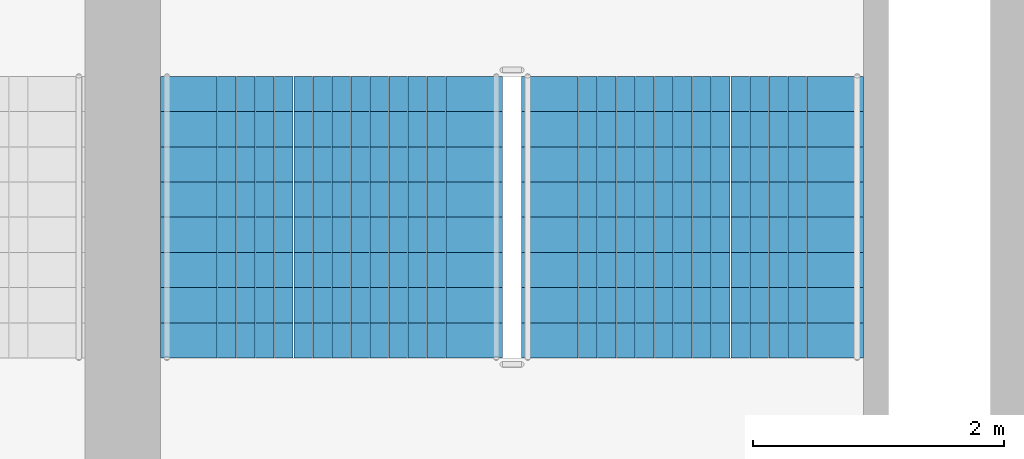
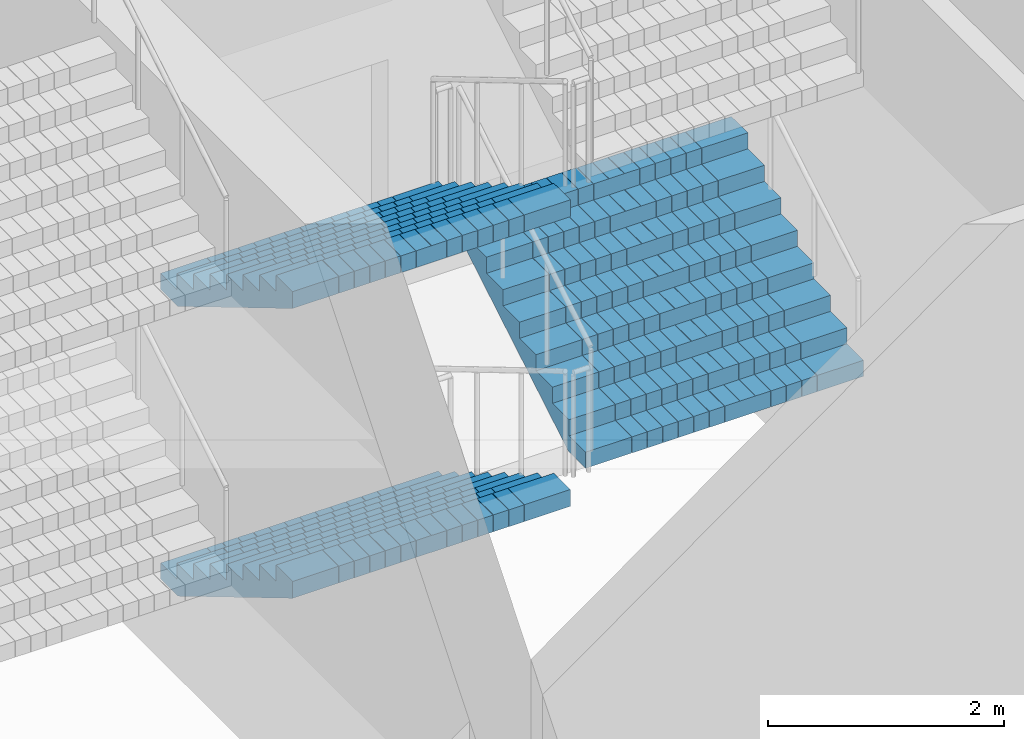
# One storey, part 25 of 41: 3 stair flights, 1 element without a shape of its own.
"""IFC4 building model written with IfcOpenShell, lengths in metres."""

from ifc_helpers import new_model, si_unit, direction, frame, origin, place, context, subcontext, project, spatial, polyline, outline, extrude, material, type_object, element, aggregate, save


model = new_model("IFC4")

# Units and contexts
model_context = context("Model", 3, precision=1e-05, world=origin(), true_north=direction((0.0, 1.0)))
body_context = subcontext(model_context, "Body", "Model", "MODEL_VIEW")
ifc_project = project(units=[si_unit("LENGTHUNIT", "METRE"), si_unit("AREAUNIT", "SQUARE_METRE"), si_unit("VOLUMEUNIT", "CUBIC_METRE"), si_unit("PLANEANGLEUNIT", "RADIAN"), si_unit("MASSUNIT", "GRAM", prefix="KILO")], contexts=[model_context])

# Site, building, storey
site_placement = place(None, origin())
site = spatial("IfcSite", under=ifc_project, at=site_placement, CompositionType="ELEMENT")
building_placement = place(site_placement, origin())
building = spatial("IfcBuilding", under=site, at=building_placement, Name="Corbelhall Arena Tower", CompositionType="ELEMENT")
storey_placement = place(building_placement, frame((0.0, 0.0, 19.0)))
storey = spatial("IfcBuildingStorey", under=building, at=storey_placement, Name="L02", CompositionType="ELEMENT", Elevation=19.0)

# Stair, stair flights
ifc_material = material(Name="Reinforced concrete C40/50", Category="concrete")
stair_type = type_object("IfcStairType", Name="AR-EXIT-STAIR", PredefinedType="HALF_TURN_STAIR", material=ifc_material)
stair_placement = place(storey_placement, origin())
stair = element("IfcStair", 1, at=stair_placement, inside=storey, type_object=stair_type, Name="L02 exit stair AS6", PredefinedType="HALF_TURN_STAIR")
stair_flight_type = type_object("IfcStairFlightType", Name="AR-EXIT-FLIGHT", PredefinedType="STRAIGHT", material=ifc_material)
stair_flight_1_placement = place(storey_placement, frame((42.159912109375, -27.320068359375, 0.0), z_axis=(0.0, 0.0, 1.0), x_axis=(0.0, -1.0, 0.0)))
stair_flight_1 = element("IfcStairFlight", 2, at=stair_flight_1_placement, type_object=stair_flight_type, Name="AS6 flight 1", NumberOfRisers=9, NumberOfTreads=8, PredefinedType="STRAIGHT", RiserHeight=0.166666667, TreadLength=0.28, context=body_context, shape_type="SweptSolid", body=[
    extrude(outline(polyline([(0.0, 0.0), (0.0, 0.166748046875), (0.280029296875, 0.166748046875), (0.280029296875, 0.333251953125), (0.56005859375, 0.333251953125), (0.56005859375, 0.5), (0.840087890625, 0.5), (0.840087890625, 0.666748046875), (1.1201171875, 0.666748046875), (1.1201171875, 0.833251953125), (1.39990234375, 0.833251953125), (1.39990234375, 1.0), (1.679931640625, 1.0), (1.679931640625, 1.166748046875), (1.9599609375, 1.166748046875), (1.9599609375, 1.333251953125), (2.239990234375, 1.333251953125), (2.239990234375, 1.5), (2.239990234375, 1.158935546875), (0.29296875, 0.0), (0.0, 0.0)])), frame((0.0, 1.35986328125, 0.0), z_axis=(0.0, -1.0, 0.0), x_axis=(1.0, 0.0, 0.0)), (0.0, 0.0, 1.0), 0.449951171875),
    extrude(outline(polyline([(0.0, 0.0), (0.0, 0.166748046875), (0.280029296875, 0.166748046875), (0.280029296875, 0.333251953125), (0.56005859375, 0.333251953125), (0.56005859375, 0.5), (0.840087890625, 0.5), (0.840087890625, 0.666748046875), (1.1201171875, 0.666748046875), (1.1201171875, 0.833251953125), (1.39990234375, 0.833251953125), (1.39990234375, 1.0), (1.679931640625, 1.0), (1.679931640625, 1.166748046875), (1.9599609375, 1.166748046875), (1.9599609375, 1.333251953125), (2.239990234375, 1.333251953125), (2.239990234375, 1.5), (2.239990234375, 1.158935546875), (0.29296875, 0.0), (0.0, 0.0)])), frame((0.0, 0.906005859375, 0.0), z_axis=(0.0, -1.0, 0.0), x_axis=(1.0, 0.0, 0.0)), (0.0, 0.0, 1.0), 0.147216796875),
    extrude(outline(polyline([(0.0, 0.0), (0.0, 0.166748046875), (0.280029296875, 0.166748046875), (0.280029296875, 0.333251953125), (0.56005859375, 0.333251953125), (0.56005859375, 0.5), (0.840087890625, 0.5), (0.840087890625, 0.666748046875), (1.1201171875, 0.666748046875), (1.1201171875, 0.833251953125), (1.39990234375, 0.833251953125), (1.39990234375, 1.0), (1.679931640625, 1.0), (1.679931640625, 1.166748046875), (1.9599609375, 1.166748046875), (1.9599609375, 1.333251953125), (2.239990234375, 1.333251953125), (2.239990234375, 1.5), (2.239990234375, 1.158935546875), (0.29296875, 0.0), (0.0, 0.0)])), frame((0.0, 0.754638671875, 0.0), z_axis=(0.0, -1.0, 0.0), x_axis=(1.0, 0.0, 0.0)), (0.0, 0.0, 1.0), 0.147216796875),
    extrude(outline(polyline([(0.0, 0.0), (0.0, 0.166748046875), (0.280029296875, 0.166748046875), (0.280029296875, 0.333251953125), (0.56005859375, 0.333251953125), (0.56005859375, 0.5), (0.840087890625, 0.5), (0.840087890625, 0.666748046875), (1.1201171875, 0.666748046875), (1.1201171875, 0.833251953125), (1.39990234375, 0.833251953125), (1.39990234375, 1.0), (1.679931640625, 1.0), (1.679931640625, 1.166748046875), (1.9599609375, 1.166748046875), (1.9599609375, 1.333251953125), (2.239990234375, 1.333251953125), (2.239990234375, 1.5), (2.239990234375, 1.158935546875), (0.29296875, 0.0), (0.0, 0.0)])), frame((0.0, 0.603271484375, 0.0), z_axis=(0.0, -1.0, 0.0), x_axis=(1.0, 0.0, 0.0)), (0.0, 0.0, 1.0), 0.147216796875),
    extrude(outline(polyline([(0.0, 0.0), (0.0, 0.166748046875), (0.280029296875, 0.166748046875), (0.280029296875, 0.333251953125), (0.56005859375, 0.333251953125), (0.56005859375, 0.5), (0.840087890625, 0.5), (0.840087890625, 0.666748046875), (1.1201171875, 0.666748046875), (1.1201171875, 0.833251953125), (1.39990234375, 0.833251953125), (1.39990234375, 1.0), (1.679931640625, 1.0), (1.679931640625, 1.166748046875), (1.9599609375, 1.166748046875), (1.9599609375, 1.333251953125), (2.239990234375, 1.333251953125), (2.239990234375, 1.5), (2.239990234375, 1.158935546875), (0.29296875, 0.0), (0.0, 0.0)])), frame((0.0, 0.451904296875, 0.0), z_axis=(0.0, -1.0, 0.0), x_axis=(1.0, 0.0, 0.0)), (0.0, 0.0, 1.0), 0.147216796875),
    extrude(outline(polyline([(0.0, 0.0), (0.0, 0.166748046875), (0.280029296875, 0.166748046875), (0.280029296875, 0.333251953125), (0.56005859375, 0.333251953125), (0.56005859375, 0.5), (0.840087890625, 0.5), (0.840087890625, 0.666748046875), (1.1201171875, 0.666748046875), (1.1201171875, 0.833251953125), (1.39990234375, 0.833251953125), (1.39990234375, 1.0), (1.679931640625, 1.0), (1.679931640625, 1.166748046875), (1.9599609375, 1.166748046875), (1.9599609375, 1.333251953125), (2.239990234375, 1.333251953125), (2.239990234375, 1.5), (2.239990234375, 1.158935546875), (0.29296875, 0.0), (0.0, 0.0)])), frame((0.0, 0.30078125, 0.0), z_axis=(0.0, -1.0, 0.0), x_axis=(1.0, 0.0, 0.0)), (0.0, 0.0, 1.0), 0.147216796875),
    extrude(outline(polyline([(0.0, 0.0), (0.0, 0.166748046875), (0.280029296875, 0.166748046875), (0.280029296875, 0.333251953125), (0.56005859375, 0.333251953125), (0.56005859375, 0.5), (0.840087890625, 0.5), (0.840087890625, 0.666748046875), (1.1201171875, 0.666748046875), (1.1201171875, 0.833251953125), (1.39990234375, 0.833251953125), (1.39990234375, 1.0), (1.679931640625, 1.0), (1.679931640625, 1.166748046875), (1.9599609375, 1.166748046875), (1.9599609375, 1.333251953125), (2.239990234375, 1.333251953125), (2.239990234375, 1.5), (2.239990234375, 1.158935546875), (0.29296875, 0.0), (0.0, 0.0)])), frame((0.0, 0.1494140625, 0.0), z_axis=(0.0, -1.0, 0.0), x_axis=(1.0, 0.0, 0.0)), (0.0, 0.0, 1.0), 0.147216796875),
    extrude(outline(polyline([(0.0, 0.0), (0.0, 0.166748046875), (0.280029296875, 0.166748046875), (0.280029296875, 0.333251953125), (0.56005859375, 0.333251953125), (0.56005859375, 0.5), (0.840087890625, 0.5), (0.840087890625, 0.666748046875), (1.1201171875, 0.666748046875), (1.1201171875, 0.833251953125), (1.39990234375, 0.833251953125), (1.39990234375, 1.0), (1.679931640625, 1.0), (1.679931640625, 1.166748046875), (1.9599609375, 1.166748046875), (1.9599609375, 1.333251953125), (2.239990234375, 1.333251953125), (2.239990234375, 1.5), (2.239990234375, 1.158935546875), (0.29296875, 0.0), (0.0, 0.0)])), frame((0.0, -0.001953125, 0.0), z_axis=(0.0, -1.0, 0.0), x_axis=(1.0, 0.0, 0.0)), (0.0, 0.0, 1.0), 0.147216796875),
    extrude(outline(polyline([(0.0, 0.0), (0.0, 0.166748046875), (0.280029296875, 0.166748046875), (0.280029296875, 0.333251953125), (0.56005859375, 0.333251953125), (0.56005859375, 0.5), (0.840087890625, 0.5), (0.840087890625, 0.666748046875), (1.1201171875, 0.666748046875), (1.1201171875, 0.833251953125), (1.39990234375, 0.833251953125), (1.39990234375, 1.0), (1.679931640625, 1.0), (1.679931640625, 1.166748046875), (1.9599609375, 1.166748046875), (1.9599609375, 1.333251953125), (2.239990234375, 1.333251953125), (2.239990234375, 1.5), (2.239990234375, 1.158935546875), (0.29296875, 0.0), (0.0, 0.0)])), frame((0.0, -0.1533203125, 0.0), z_axis=(0.0, -1.0, 0.0), x_axis=(1.0, 0.0, 0.0)), (0.0, 0.0, 1.0), 0.147216796875),
    extrude(outline(polyline([(0.0, 0.0), (0.0, 0.166748046875), (0.280029296875, 0.166748046875), (0.280029296875, 0.333251953125), (0.56005859375, 0.333251953125), (0.56005859375, 0.5), (0.840087890625, 0.5), (0.840087890625, 0.666748046875), (1.1201171875, 0.666748046875), (1.1201171875, 0.833251953125), (1.39990234375, 0.833251953125), (1.39990234375, 1.0), (1.679931640625, 1.0), (1.679931640625, 1.166748046875), (1.9599609375, 1.166748046875), (1.9599609375, 1.333251953125), (2.239990234375, 1.333251953125), (2.239990234375, 1.5), (2.239990234375, 1.158935546875), (0.29296875, 0.0), (0.0, 0.0)])), frame((0.0, -0.3046875, 0.0), z_axis=(0.0, -1.0, 0.0), x_axis=(1.0, 0.0, 0.0)), (0.0, 0.0, 1.0), 0.147216796875),
    extrude(outline(polyline([(0.0, 0.0), (0.0, 0.166748046875), (0.280029296875, 0.166748046875), (0.280029296875, 0.333251953125), (0.56005859375, 0.333251953125), (0.56005859375, 0.5), (0.840087890625, 0.5), (0.840087890625, 0.666748046875), (1.1201171875, 0.666748046875), (1.1201171875, 0.833251953125), (1.39990234375, 0.833251953125), (1.39990234375, 1.0), (1.679931640625, 1.0), (1.679931640625, 1.166748046875), (1.9599609375, 1.166748046875), (1.9599609375, 1.333251953125), (2.239990234375, 1.333251953125), (2.239990234375, 1.5), (2.239990234375, 1.158935546875), (0.29296875, 0.0), (0.0, 0.0)])), frame((0.0, -0.4560546875, 0.0), z_axis=(0.0, -1.0, 0.0), x_axis=(1.0, 0.0, 0.0)), (0.0, 0.0, 1.0), 0.147216796875),
    extrude(outline(polyline([(0.0, 0.0), (0.0, 0.166748046875), (0.280029296875, 0.166748046875), (0.280029296875, 0.333251953125), (0.56005859375, 0.333251953125), (0.56005859375, 0.5), (0.840087890625, 0.5), (0.840087890625, 0.666748046875), (1.1201171875, 0.666748046875), (1.1201171875, 0.833251953125), (1.39990234375, 0.833251953125), (1.39990234375, 1.0), (1.679931640625, 1.0), (1.679931640625, 1.166748046875), (1.9599609375, 1.166748046875), (1.9599609375, 1.333251953125), (2.239990234375, 1.333251953125), (2.239990234375, 1.5), (2.239990234375, 1.158935546875), (0.29296875, 0.0), (0.0, 0.0)])), frame((0.0, -0.607421875, 0.0), z_axis=(0.0, -1.0, 0.0), x_axis=(1.0, 0.0, 0.0)), (0.0, 0.0, 1.0), 0.147216796875),
    extrude(outline(polyline([(0.0, 0.0), (0.0, 0.166748046875), (0.280029296875, 0.166748046875), (0.280029296875, 0.333251953125), (0.56005859375, 0.333251953125), (0.56005859375, 0.5), (0.840087890625, 0.5), (0.840087890625, 0.666748046875), (1.1201171875, 0.666748046875), (1.1201171875, 0.833251953125), (1.39990234375, 0.833251953125), (1.39990234375, 1.0), (1.679931640625, 1.0), (1.679931640625, 1.166748046875), (1.9599609375, 1.166748046875), (1.9599609375, 1.333251953125), (2.239990234375, 1.333251953125), (2.239990234375, 1.5), (2.239990234375, 1.158935546875), (0.29296875, 0.0), (0.0, 0.0)])), frame((0.0, -0.758544921875, 0.0), z_axis=(0.0, -1.0, 0.0), x_axis=(1.0, 0.0, 0.0)), (0.0, 0.0, 1.0), 0.147216796875),
    extrude(outline(polyline([(0.0, 0.0), (0.0, 0.166748046875), (0.280029296875, 0.166748046875), (0.280029296875, 0.333251953125), (0.56005859375, 0.333251953125), (0.56005859375, 0.5), (0.840087890625, 0.5), (0.840087890625, 0.666748046875), (1.1201171875, 0.666748046875), (1.1201171875, 0.833251953125), (1.39990234375, 0.833251953125), (1.39990234375, 1.0), (1.679931640625, 1.0), (1.679931640625, 1.166748046875), (1.9599609375, 1.166748046875), (1.9599609375, 1.333251953125), (2.239990234375, 1.333251953125), (2.239990234375, 1.5), (2.239990234375, 1.158935546875), (0.29296875, 0.0), (0.0, 0.0)])), frame((0.0, -0.909912109375, 0.0), z_axis=(0.0, -1.0, 0.0), x_axis=(1.0, 0.0, 0.0)), (0.0, 0.0, 1.0), 0.449951171875),
])
stair_flight_2_placement = place(storey_placement, frame((45.030029296875, -29.56005859375, 1.5), z_axis=(0.0, 0.0, 1.0), x_axis=(0.0, 1.0, 0.0)))
stair_flight_2 = element("IfcStairFlight", 3, at=stair_flight_2_placement, type_object=stair_flight_type, Name="AS6 flight 2", NumberOfRisers=9, NumberOfTreads=8, PredefinedType="STRAIGHT", RiserHeight=0.166666667, TreadLength=0.28, context=body_context, shape_type="SweptSolid", body=[
    extrude(outline(polyline([(0.0, 0.0), (0.0, 0.166748046875), (0.280029296875, 0.166748046875), (0.280029296875, 0.333251953125), (0.56005859375, 0.333251953125), (0.56005859375, 0.5), (0.840087890625, 0.5), (0.840087890625, 0.666748046875), (1.1201171875, 0.666748046875), (1.1201171875, 0.833251953125), (1.39990234375, 0.833251953125), (1.39990234375, 1.0), (1.679931640625, 1.0), (1.679931640625, 1.166748046875), (1.9599609375, 1.166748046875), (1.9599609375, 1.333251953125), (2.239990234375, 1.333251953125), (2.239990234375, 1.5), (2.239990234375, 1.158935546875), (0.29296875, 0.0), (0.0, 0.0)])), frame((0.0, 1.35986328125, 0.0), z_axis=(0.0, -1.0, 0.0), x_axis=(1.0, 0.0, 0.0)), (0.0, 0.0, 1.0), 0.449951171875),
    extrude(outline(polyline([(0.0, 0.0), (0.0, 0.166748046875), (0.280029296875, 0.166748046875), (0.280029296875, 0.333251953125), (0.56005859375, 0.333251953125), (0.56005859375, 0.5), (0.840087890625, 0.5), (0.840087890625, 0.666748046875), (1.1201171875, 0.666748046875), (1.1201171875, 0.833251953125), (1.39990234375, 0.833251953125), (1.39990234375, 1.0), (1.679931640625, 1.0), (1.679931640625, 1.166748046875), (1.9599609375, 1.166748046875), (1.9599609375, 1.333251953125), (2.239990234375, 1.333251953125), (2.239990234375, 1.5), (2.239990234375, 1.158935546875), (0.29296875, 0.0), (0.0, 0.0)])), frame((0.0, 0.906005859375, 0.0), z_axis=(0.0, -1.0, 0.0), x_axis=(1.0, 0.0, 0.0)), (0.0, 0.0, 1.0), 0.147216796875),
    extrude(outline(polyline([(0.0, 0.0), (0.0, 0.166748046875), (0.280029296875, 0.166748046875), (0.280029296875, 0.333251953125), (0.56005859375, 0.333251953125), (0.56005859375, 0.5), (0.840087890625, 0.5), (0.840087890625, 0.666748046875), (1.1201171875, 0.666748046875), (1.1201171875, 0.833251953125), (1.39990234375, 0.833251953125), (1.39990234375, 1.0), (1.679931640625, 1.0), (1.679931640625, 1.166748046875), (1.9599609375, 1.166748046875), (1.9599609375, 1.333251953125), (2.239990234375, 1.333251953125), (2.239990234375, 1.5), (2.239990234375, 1.158935546875), (0.29296875, 0.0), (0.0, 0.0)])), frame((0.0, 0.754638671875, 0.0), z_axis=(0.0, -1.0, 0.0), x_axis=(1.0, 0.0, 0.0)), (0.0, 0.0, 1.0), 0.147216796875),
    extrude(outline(polyline([(0.0, 0.0), (0.0, 0.166748046875), (0.280029296875, 0.166748046875), (0.280029296875, 0.333251953125), (0.56005859375, 0.333251953125), (0.56005859375, 0.5), (0.840087890625, 0.5), (0.840087890625, 0.666748046875), (1.1201171875, 0.666748046875), (1.1201171875, 0.833251953125), (1.39990234375, 0.833251953125), (1.39990234375, 1.0), (1.679931640625, 1.0), (1.679931640625, 1.166748046875), (1.9599609375, 1.166748046875), (1.9599609375, 1.333251953125), (2.239990234375, 1.333251953125), (2.239990234375, 1.5), (2.239990234375, 1.158935546875), (0.29296875, 0.0), (0.0, 0.0)])), frame((0.0, 0.603271484375, 0.0), z_axis=(0.0, -1.0, 0.0), x_axis=(1.0, 0.0, 0.0)), (0.0, 0.0, 1.0), 0.147216796875),
    extrude(outline(polyline([(0.0, 0.0), (0.0, 0.166748046875), (0.280029296875, 0.166748046875), (0.280029296875, 0.333251953125), (0.56005859375, 0.333251953125), (0.56005859375, 0.5), (0.840087890625, 0.5), (0.840087890625, 0.666748046875), (1.1201171875, 0.666748046875), (1.1201171875, 0.833251953125), (1.39990234375, 0.833251953125), (1.39990234375, 1.0), (1.679931640625, 1.0), (1.679931640625, 1.166748046875), (1.9599609375, 1.166748046875), (1.9599609375, 1.333251953125), (2.239990234375, 1.333251953125), (2.239990234375, 1.5), (2.239990234375, 1.158935546875), (0.29296875, 0.0), (0.0, 0.0)])), frame((0.0, 0.451904296875, 0.0), z_axis=(0.0, -1.0, 0.0), x_axis=(1.0, 0.0, 0.0)), (0.0, 0.0, 1.0), 0.147216796875),
    extrude(outline(polyline([(0.0, 0.0), (0.0, 0.166748046875), (0.280029296875, 0.166748046875), (0.280029296875, 0.333251953125), (0.56005859375, 0.333251953125), (0.56005859375, 0.5), (0.840087890625, 0.5), (0.840087890625, 0.666748046875), (1.1201171875, 0.666748046875), (1.1201171875, 0.833251953125), (1.39990234375, 0.833251953125), (1.39990234375, 1.0), (1.679931640625, 1.0), (1.679931640625, 1.166748046875), (1.9599609375, 1.166748046875), (1.9599609375, 1.333251953125), (2.239990234375, 1.333251953125), (2.239990234375, 1.5), (2.239990234375, 1.158935546875), (0.29296875, 0.0), (0.0, 0.0)])), frame((0.0, 0.30078125, 0.0), z_axis=(0.0, -1.0, 0.0), x_axis=(1.0, 0.0, 0.0)), (0.0, 0.0, 1.0), 0.147216796875),
    extrude(outline(polyline([(0.0, 0.0), (0.0, 0.166748046875), (0.280029296875, 0.166748046875), (0.280029296875, 0.333251953125), (0.56005859375, 0.333251953125), (0.56005859375, 0.5), (0.840087890625, 0.5), (0.840087890625, 0.666748046875), (1.1201171875, 0.666748046875), (1.1201171875, 0.833251953125), (1.39990234375, 0.833251953125), (1.39990234375, 1.0), (1.679931640625, 1.0), (1.679931640625, 1.166748046875), (1.9599609375, 1.166748046875), (1.9599609375, 1.333251953125), (2.239990234375, 1.333251953125), (2.239990234375, 1.5), (2.239990234375, 1.158935546875), (0.29296875, 0.0), (0.0, 0.0)])), frame((0.0, 0.1494140625, 0.0), z_axis=(0.0, -1.0, 0.0), x_axis=(1.0, 0.0, 0.0)), (0.0, 0.0, 1.0), 0.147216796875),
    extrude(outline(polyline([(0.0, 0.0), (0.0, 0.166748046875), (0.280029296875, 0.166748046875), (0.280029296875, 0.333251953125), (0.56005859375, 0.333251953125), (0.56005859375, 0.5), (0.840087890625, 0.5), (0.840087890625, 0.666748046875), (1.1201171875, 0.666748046875), (1.1201171875, 0.833251953125), (1.39990234375, 0.833251953125), (1.39990234375, 1.0), (1.679931640625, 1.0), (1.679931640625, 1.166748046875), (1.9599609375, 1.166748046875), (1.9599609375, 1.333251953125), (2.239990234375, 1.333251953125), (2.239990234375, 1.5), (2.239990234375, 1.158935546875), (0.29296875, 0.0), (0.0, 0.0)])), frame((0.0, -0.001953125, 0.0), z_axis=(0.0, -1.0, 0.0), x_axis=(1.0, 0.0, 0.0)), (0.0, 0.0, 1.0), 0.147216796875),
    extrude(outline(polyline([(0.0, 0.0), (0.0, 0.166748046875), (0.280029296875, 0.166748046875), (0.280029296875, 0.333251953125), (0.56005859375, 0.333251953125), (0.56005859375, 0.5), (0.840087890625, 0.5), (0.840087890625, 0.666748046875), (1.1201171875, 0.666748046875), (1.1201171875, 0.833251953125), (1.39990234375, 0.833251953125), (1.39990234375, 1.0), (1.679931640625, 1.0), (1.679931640625, 1.166748046875), (1.9599609375, 1.166748046875), (1.9599609375, 1.333251953125), (2.239990234375, 1.333251953125), (2.239990234375, 1.5), (2.239990234375, 1.158935546875), (0.29296875, 0.0), (0.0, 0.0)])), frame((0.0, -0.1533203125, 0.0), z_axis=(0.0, -1.0, 0.0), x_axis=(1.0, 0.0, 0.0)), (0.0, 0.0, 1.0), 0.147216796875),
    extrude(outline(polyline([(0.0, 0.0), (0.0, 0.166748046875), (0.280029296875, 0.166748046875), (0.280029296875, 0.333251953125), (0.56005859375, 0.333251953125), (0.56005859375, 0.5), (0.840087890625, 0.5), (0.840087890625, 0.666748046875), (1.1201171875, 0.666748046875), (1.1201171875, 0.833251953125), (1.39990234375, 0.833251953125), (1.39990234375, 1.0), (1.679931640625, 1.0), (1.679931640625, 1.166748046875), (1.9599609375, 1.166748046875), (1.9599609375, 1.333251953125), (2.239990234375, 1.333251953125), (2.239990234375, 1.5), (2.239990234375, 1.158935546875), (0.29296875, 0.0), (0.0, 0.0)])), frame((0.0, -0.3046875, 0.0), z_axis=(0.0, -1.0, 0.0), x_axis=(1.0, 0.0, 0.0)), (0.0, 0.0, 1.0), 0.147216796875),
    extrude(outline(polyline([(0.0, 0.0), (0.0, 0.166748046875), (0.280029296875, 0.166748046875), (0.280029296875, 0.333251953125), (0.56005859375, 0.333251953125), (0.56005859375, 0.5), (0.840087890625, 0.5), (0.840087890625, 0.666748046875), (1.1201171875, 0.666748046875), (1.1201171875, 0.833251953125), (1.39990234375, 0.833251953125), (1.39990234375, 1.0), (1.679931640625, 1.0), (1.679931640625, 1.166748046875), (1.9599609375, 1.166748046875), (1.9599609375, 1.333251953125), (2.239990234375, 1.333251953125), (2.239990234375, 1.5), (2.239990234375, 1.158935546875), (0.29296875, 0.0), (0.0, 0.0)])), frame((0.0, -0.4560546875, 0.0), z_axis=(0.0, -1.0, 0.0), x_axis=(1.0, 0.0, 0.0)), (0.0, 0.0, 1.0), 0.147216796875),
    extrude(outline(polyline([(0.0, 0.0), (0.0, 0.166748046875), (0.280029296875, 0.166748046875), (0.280029296875, 0.333251953125), (0.56005859375, 0.333251953125), (0.56005859375, 0.5), (0.840087890625, 0.5), (0.840087890625, 0.666748046875), (1.1201171875, 0.666748046875), (1.1201171875, 0.833251953125), (1.39990234375, 0.833251953125), (1.39990234375, 1.0), (1.679931640625, 1.0), (1.679931640625, 1.166748046875), (1.9599609375, 1.166748046875), (1.9599609375, 1.333251953125), (2.239990234375, 1.333251953125), (2.239990234375, 1.5), (2.239990234375, 1.158935546875), (0.29296875, 0.0), (0.0, 0.0)])), frame((0.0, -0.607421875, 0.0), z_axis=(0.0, -1.0, 0.0), x_axis=(1.0, 0.0, 0.0)), (0.0, 0.0, 1.0), 0.147216796875),
    extrude(outline(polyline([(0.0, 0.0), (0.0, 0.166748046875), (0.280029296875, 0.166748046875), (0.280029296875, 0.333251953125), (0.56005859375, 0.333251953125), (0.56005859375, 0.5), (0.840087890625, 0.5), (0.840087890625, 0.666748046875), (1.1201171875, 0.666748046875), (1.1201171875, 0.833251953125), (1.39990234375, 0.833251953125), (1.39990234375, 1.0), (1.679931640625, 1.0), (1.679931640625, 1.166748046875), (1.9599609375, 1.166748046875), (1.9599609375, 1.333251953125), (2.239990234375, 1.333251953125), (2.239990234375, 1.5), (2.239990234375, 1.158935546875), (0.29296875, 0.0), (0.0, 0.0)])), frame((0.0, -0.758544921875, 0.0), z_axis=(0.0, -1.0, 0.0), x_axis=(1.0, 0.0, 0.0)), (0.0, 0.0, 1.0), 0.147216796875),
    extrude(outline(polyline([(0.0, 0.0), (0.0, 0.166748046875), (0.280029296875, 0.166748046875), (0.280029296875, 0.333251953125), (0.56005859375, 0.333251953125), (0.56005859375, 0.5), (0.840087890625, 0.5), (0.840087890625, 0.666748046875), (1.1201171875, 0.666748046875), (1.1201171875, 0.833251953125), (1.39990234375, 0.833251953125), (1.39990234375, 1.0), (1.679931640625, 1.0), (1.679931640625, 1.166748046875), (1.9599609375, 1.166748046875), (1.9599609375, 1.333251953125), (2.239990234375, 1.333251953125), (2.239990234375, 1.5), (2.239990234375, 1.158935546875), (0.29296875, 0.0), (0.0, 0.0)])), frame((0.0, -0.909912109375, 0.0), z_axis=(0.0, -1.0, 0.0), x_axis=(1.0, 0.0, 0.0)), (0.0, 0.0, 1.0), 0.449951171875),
])
stair_flight_3_placement = place(storey_placement, frame((42.159912109375, -27.320068359375, 3.0), z_axis=(0.0, 0.0, 1.0), x_axis=(0.0, -1.0, 0.0)))
stair_flight_3 = element("IfcStairFlight", 4, at=stair_flight_3_placement, type_object=stair_flight_type, Name="AS6 flight 3", NumberOfRisers=9, NumberOfTreads=8, PredefinedType="STRAIGHT", RiserHeight=0.166666667, TreadLength=0.28, context=body_context, shape_type="SweptSolid", body=[
    extrude(outline(polyline([(0.0, 0.0), (0.0, 0.166748046875), (0.280029296875, 0.166748046875), (0.280029296875, 0.333251953125), (0.56005859375, 0.333251953125), (0.56005859375, 0.5), (0.840087890625, 0.5), (0.840087890625, 0.666748046875), (1.1201171875, 0.666748046875), (1.1201171875, 0.833251953125), (1.39990234375, 0.833251953125), (1.39990234375, 1.0), (1.679931640625, 1.0), (1.679931640625, 1.166748046875), (1.9599609375, 1.166748046875), (1.9599609375, 1.333251953125), (2.239990234375, 1.333251953125), (2.239990234375, 1.5), (2.239990234375, 1.158935546875), (0.29296875, 0.0), (0.0, 0.0)])), frame((0.0, 1.35986328125, 0.0), z_axis=(0.0, -1.0, 0.0), x_axis=(1.0, 0.0, 0.0)), (0.0, 0.0, 1.0), 0.449951171875),
    extrude(outline(polyline([(0.0, 0.0), (0.0, 0.166748046875), (0.280029296875, 0.166748046875), (0.280029296875, 0.333251953125), (0.56005859375, 0.333251953125), (0.56005859375, 0.5), (0.840087890625, 0.5), (0.840087890625, 0.666748046875), (1.1201171875, 0.666748046875), (1.1201171875, 0.833251953125), (1.39990234375, 0.833251953125), (1.39990234375, 1.0), (1.679931640625, 1.0), (1.679931640625, 1.166748046875), (1.9599609375, 1.166748046875), (1.9599609375, 1.333251953125), (2.239990234375, 1.333251953125), (2.239990234375, 1.5), (2.239990234375, 1.158935546875), (0.29296875, 0.0), (0.0, 0.0)])), frame((0.0, 0.906005859375, 0.0), z_axis=(0.0, -1.0, 0.0), x_axis=(1.0, 0.0, 0.0)), (0.0, 0.0, 1.0), 0.147216796875),
    extrude(outline(polyline([(0.0, 0.0), (0.0, 0.166748046875), (0.280029296875, 0.166748046875), (0.280029296875, 0.333251953125), (0.56005859375, 0.333251953125), (0.56005859375, 0.5), (0.840087890625, 0.5), (0.840087890625, 0.666748046875), (1.1201171875, 0.666748046875), (1.1201171875, 0.833251953125), (1.39990234375, 0.833251953125), (1.39990234375, 1.0), (1.679931640625, 1.0), (1.679931640625, 1.166748046875), (1.9599609375, 1.166748046875), (1.9599609375, 1.333251953125), (2.239990234375, 1.333251953125), (2.239990234375, 1.5), (2.239990234375, 1.158935546875), (0.29296875, 0.0), (0.0, 0.0)])), frame((0.0, 0.754638671875, 0.0), z_axis=(0.0, -1.0, 0.0), x_axis=(1.0, 0.0, 0.0)), (0.0, 0.0, 1.0), 0.147216796875),
    extrude(outline(polyline([(0.0, 0.0), (0.0, 0.166748046875), (0.280029296875, 0.166748046875), (0.280029296875, 0.333251953125), (0.56005859375, 0.333251953125), (0.56005859375, 0.5), (0.840087890625, 0.5), (0.840087890625, 0.666748046875), (1.1201171875, 0.666748046875), (1.1201171875, 0.833251953125), (1.39990234375, 0.833251953125), (1.39990234375, 1.0), (1.679931640625, 1.0), (1.679931640625, 1.166748046875), (1.9599609375, 1.166748046875), (1.9599609375, 1.333251953125), (2.239990234375, 1.333251953125), (2.239990234375, 1.5), (2.239990234375, 1.158935546875), (0.29296875, 0.0), (0.0, 0.0)])), frame((0.0, 0.603271484375, 0.0), z_axis=(0.0, -1.0, 0.0), x_axis=(1.0, 0.0, 0.0)), (0.0, 0.0, 1.0), 0.147216796875),
    extrude(outline(polyline([(0.0, 0.0), (0.0, 0.166748046875), (0.280029296875, 0.166748046875), (0.280029296875, 0.333251953125), (0.56005859375, 0.333251953125), (0.56005859375, 0.5), (0.840087890625, 0.5), (0.840087890625, 0.666748046875), (1.1201171875, 0.666748046875), (1.1201171875, 0.833251953125), (1.39990234375, 0.833251953125), (1.39990234375, 1.0), (1.679931640625, 1.0), (1.679931640625, 1.166748046875), (1.9599609375, 1.166748046875), (1.9599609375, 1.333251953125), (2.239990234375, 1.333251953125), (2.239990234375, 1.5), (2.239990234375, 1.158935546875), (0.29296875, 0.0), (0.0, 0.0)])), frame((0.0, 0.451904296875, 0.0), z_axis=(0.0, -1.0, 0.0), x_axis=(1.0, 0.0, 0.0)), (0.0, 0.0, 1.0), 0.147216796875),
    extrude(outline(polyline([(0.0, 0.0), (0.0, 0.166748046875), (0.280029296875, 0.166748046875), (0.280029296875, 0.333251953125), (0.56005859375, 0.333251953125), (0.56005859375, 0.5), (0.840087890625, 0.5), (0.840087890625, 0.666748046875), (1.1201171875, 0.666748046875), (1.1201171875, 0.833251953125), (1.39990234375, 0.833251953125), (1.39990234375, 1.0), (1.679931640625, 1.0), (1.679931640625, 1.166748046875), (1.9599609375, 1.166748046875), (1.9599609375, 1.333251953125), (2.239990234375, 1.333251953125), (2.239990234375, 1.5), (2.239990234375, 1.158935546875), (0.29296875, 0.0), (0.0, 0.0)])), frame((0.0, 0.30078125, 0.0), z_axis=(0.0, -1.0, 0.0), x_axis=(1.0, 0.0, 0.0)), (0.0, 0.0, 1.0), 0.147216796875),
    extrude(outline(polyline([(0.0, 0.0), (0.0, 0.166748046875), (0.280029296875, 0.166748046875), (0.280029296875, 0.333251953125), (0.56005859375, 0.333251953125), (0.56005859375, 0.5), (0.840087890625, 0.5), (0.840087890625, 0.666748046875), (1.1201171875, 0.666748046875), (1.1201171875, 0.833251953125), (1.39990234375, 0.833251953125), (1.39990234375, 1.0), (1.679931640625, 1.0), (1.679931640625, 1.166748046875), (1.9599609375, 1.166748046875), (1.9599609375, 1.333251953125), (2.239990234375, 1.333251953125), (2.239990234375, 1.5), (2.239990234375, 1.158935546875), (0.29296875, 0.0), (0.0, 0.0)])), frame((0.0, 0.1494140625, 0.0), z_axis=(0.0, -1.0, 0.0), x_axis=(1.0, 0.0, 0.0)), (0.0, 0.0, 1.0), 0.147216796875),
    extrude(outline(polyline([(0.0, 0.0), (0.0, 0.166748046875), (0.280029296875, 0.166748046875), (0.280029296875, 0.333251953125), (0.56005859375, 0.333251953125), (0.56005859375, 0.5), (0.840087890625, 0.5), (0.840087890625, 0.666748046875), (1.1201171875, 0.666748046875), (1.1201171875, 0.833251953125), (1.39990234375, 0.833251953125), (1.39990234375, 1.0), (1.679931640625, 1.0), (1.679931640625, 1.166748046875), (1.9599609375, 1.166748046875), (1.9599609375, 1.333251953125), (2.239990234375, 1.333251953125), (2.239990234375, 1.5), (2.239990234375, 1.158935546875), (0.29296875, 0.0), (0.0, 0.0)])), frame((0.0, -0.001953125, 0.0), z_axis=(0.0, -1.0, 0.0), x_axis=(1.0, 0.0, 0.0)), (0.0, 0.0, 1.0), 0.147216796875),
    extrude(outline(polyline([(0.0, 0.0), (0.0, 0.166748046875), (0.280029296875, 0.166748046875), (0.280029296875, 0.333251953125), (0.56005859375, 0.333251953125), (0.56005859375, 0.5), (0.840087890625, 0.5), (0.840087890625, 0.666748046875), (1.1201171875, 0.666748046875), (1.1201171875, 0.833251953125), (1.39990234375, 0.833251953125), (1.39990234375, 1.0), (1.679931640625, 1.0), (1.679931640625, 1.166748046875), (1.9599609375, 1.166748046875), (1.9599609375, 1.333251953125), (2.239990234375, 1.333251953125), (2.239990234375, 1.5), (2.239990234375, 1.158935546875), (0.29296875, 0.0), (0.0, 0.0)])), frame((0.0, -0.1533203125, 0.0), z_axis=(0.0, -1.0, 0.0), x_axis=(1.0, 0.0, 0.0)), (0.0, 0.0, 1.0), 0.147216796875),
    extrude(outline(polyline([(0.0, 0.0), (0.0, 0.166748046875), (0.280029296875, 0.166748046875), (0.280029296875, 0.333251953125), (0.56005859375, 0.333251953125), (0.56005859375, 0.5), (0.840087890625, 0.5), (0.840087890625, 0.666748046875), (1.1201171875, 0.666748046875), (1.1201171875, 0.833251953125), (1.39990234375, 0.833251953125), (1.39990234375, 1.0), (1.679931640625, 1.0), (1.679931640625, 1.166748046875), (1.9599609375, 1.166748046875), (1.9599609375, 1.333251953125), (2.239990234375, 1.333251953125), (2.239990234375, 1.5), (2.239990234375, 1.158935546875), (0.29296875, 0.0), (0.0, 0.0)])), frame((0.0, -0.3046875, 0.0), z_axis=(0.0, -1.0, 0.0), x_axis=(1.0, 0.0, 0.0)), (0.0, 0.0, 1.0), 0.147216796875),
    extrude(outline(polyline([(0.0, 0.0), (0.0, 0.166748046875), (0.280029296875, 0.166748046875), (0.280029296875, 0.333251953125), (0.56005859375, 0.333251953125), (0.56005859375, 0.5), (0.840087890625, 0.5), (0.840087890625, 0.666748046875), (1.1201171875, 0.666748046875), (1.1201171875, 0.833251953125), (1.39990234375, 0.833251953125), (1.39990234375, 1.0), (1.679931640625, 1.0), (1.679931640625, 1.166748046875), (1.9599609375, 1.166748046875), (1.9599609375, 1.333251953125), (2.239990234375, 1.333251953125), (2.239990234375, 1.5), (2.239990234375, 1.158935546875), (0.29296875, 0.0), (0.0, 0.0)])), frame((0.0, -0.4560546875, 0.0), z_axis=(0.0, -1.0, 0.0), x_axis=(1.0, 0.0, 0.0)), (0.0, 0.0, 1.0), 0.147216796875),
    extrude(outline(polyline([(0.0, 0.0), (0.0, 0.166748046875), (0.280029296875, 0.166748046875), (0.280029296875, 0.333251953125), (0.56005859375, 0.333251953125), (0.56005859375, 0.5), (0.840087890625, 0.5), (0.840087890625, 0.666748046875), (1.1201171875, 0.666748046875), (1.1201171875, 0.833251953125), (1.39990234375, 0.833251953125), (1.39990234375, 1.0), (1.679931640625, 1.0), (1.679931640625, 1.166748046875), (1.9599609375, 1.166748046875), (1.9599609375, 1.333251953125), (2.239990234375, 1.333251953125), (2.239990234375, 1.5), (2.239990234375, 1.158935546875), (0.29296875, 0.0), (0.0, 0.0)])), frame((0.0, -0.607421875, 0.0), z_axis=(0.0, -1.0, 0.0), x_axis=(1.0, 0.0, 0.0)), (0.0, 0.0, 1.0), 0.147216796875),
    extrude(outline(polyline([(0.0, 0.0), (0.0, 0.166748046875), (0.280029296875, 0.166748046875), (0.280029296875, 0.333251953125), (0.56005859375, 0.333251953125), (0.56005859375, 0.5), (0.840087890625, 0.5), (0.840087890625, 0.666748046875), (1.1201171875, 0.666748046875), (1.1201171875, 0.833251953125), (1.39990234375, 0.833251953125), (1.39990234375, 1.0), (1.679931640625, 1.0), (1.679931640625, 1.166748046875), (1.9599609375, 1.166748046875), (1.9599609375, 1.333251953125), (2.239990234375, 1.333251953125), (2.239990234375, 1.5), (2.239990234375, 1.158935546875), (0.29296875, 0.0), (0.0, 0.0)])), frame((0.0, -0.758544921875, 0.0), z_axis=(0.0, -1.0, 0.0), x_axis=(1.0, 0.0, 0.0)), (0.0, 0.0, 1.0), 0.147216796875),
    extrude(outline(polyline([(0.0, 0.0), (0.0, 0.166748046875), (0.280029296875, 0.166748046875), (0.280029296875, 0.333251953125), (0.56005859375, 0.333251953125), (0.56005859375, 0.5), (0.840087890625, 0.5), (0.840087890625, 0.666748046875), (1.1201171875, 0.666748046875), (1.1201171875, 0.833251953125), (1.39990234375, 0.833251953125), (1.39990234375, 1.0), (1.679931640625, 1.0), (1.679931640625, 1.166748046875), (1.9599609375, 1.166748046875), (1.9599609375, 1.333251953125), (2.239990234375, 1.333251953125), (2.239990234375, 1.5), (2.239990234375, 1.158935546875), (0.29296875, 0.0), (0.0, 0.0)])), frame((0.0, -0.909912109375, 0.0), z_axis=(0.0, -1.0, 0.0), x_axis=(1.0, 0.0, 0.0)), (0.0, 0.0, 1.0), 0.449951171875),
])
aggregate(stair, [stair_flight_1, stair_flight_2, stair_flight_3])

save(model, "model.ifc")
